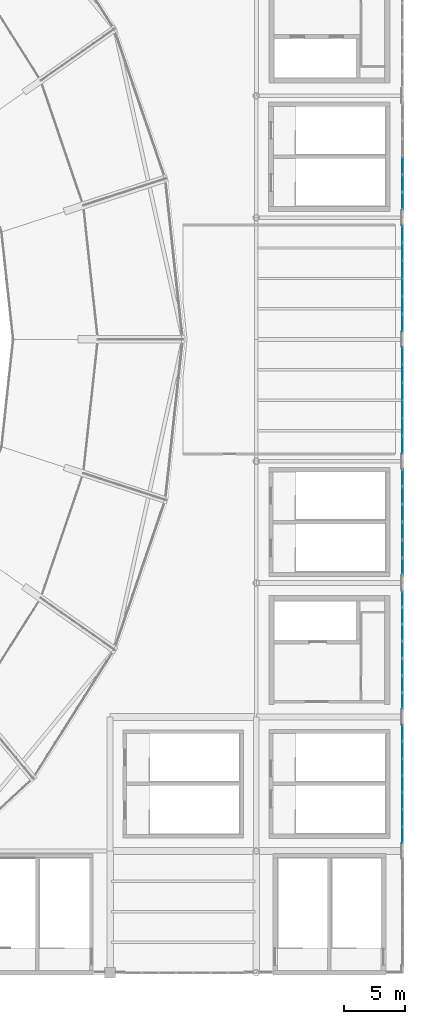
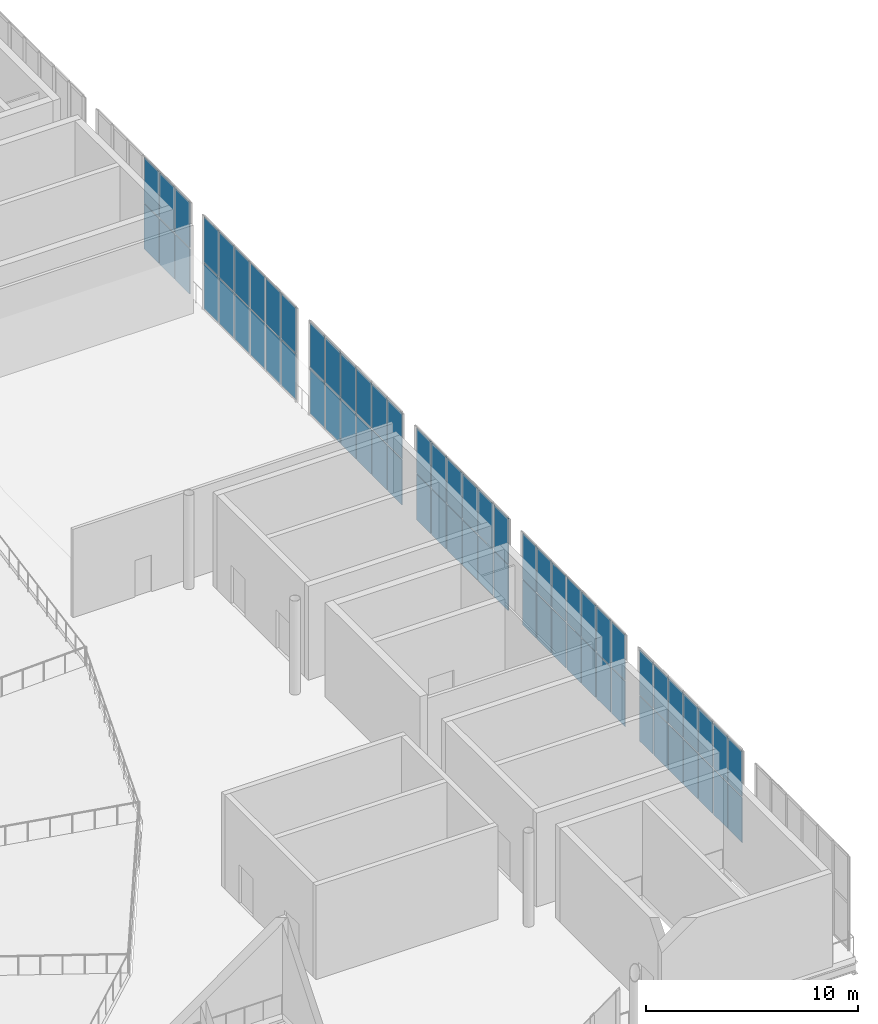
# One storey, part 48 of 74: 70 plates, 6 elements without a shape of their own.
"""IFC4 building model written with IfcOpenShell, lengths in metres."""

from ifc_helpers import new_model, si_unit, direction, frame, origin, origin_2d, place, context, subcontext, project, spatial, rectangle, extrude, material, layer, layer_set, type_object, element, aggregate, save


model = new_model("IFC4")

# Units and contexts
model_context = context("Model", 3, precision=1e-05, world=origin(), true_north=direction((0.0, 1.0)))
body_context = subcontext(model_context, "Body", "Model", "MODEL_VIEW")
ifc_project = project(units=[si_unit("LENGTHUNIT", "METRE"), si_unit("AREAUNIT", "SQUARE_METRE"), si_unit("VOLUMEUNIT", "CUBIC_METRE"), si_unit("PLANEANGLEUNIT", "RADIAN"), si_unit("MASSUNIT", "GRAM", prefix="KILO")], contexts=[model_context])

# Site, building, storey
site_placement = place(None, origin())
site = spatial("IfcSite", under=ifc_project, at=site_placement, CompositionType="ELEMENT")
building_placement = place(site_placement, origin())
building = spatial("IfcBuilding", under=site, at=building_placement, Name="Brinegate Civic Arena", CompositionType="ELEMENT")
storey_placement = place(building_placement, frame((0.0, 0.0, 19.199951171875)))
storey = spatial("IfcBuildingStorey", under=building, at=storey_placement, Name="L04", CompositionType="ELEMENT", Elevation=19.199951171875)

# Curtain wall, plates
ifc_material_1 = material(Name="Marine grade aluminium", Category="aluminium")
ifc_layer_1 = layer(ifc_material_1, 0.199951171875, Name="Marine grade aluminium")
ifc_layer_set_1 = layer_set([ifc_layer_1], Name="Marine grade aluminium")
curtain_wall_type = type_object("IfcCurtainWallType", Name="CW-BOWL-GLAZED-01", PredefinedType="USERDEFINED", material=ifc_layer_set_1)
curtain_wall_1_placement = place(storey_placement, origin())
curtain_wall_1 = element("IfcCurtainWall", 1, at=curtain_wall_1_placement, inside=storey, type_object=curtain_wall_type, Name="Curtain Wall CWA-138", ObjectType="GLAZED CURTAIN WALL", PredefinedType="USERDEFINED")
ifc_material_2 = material(Name="Hurricane laminated low-E glass", Category="glass")
ifc_layer_2 = layer(ifc_material_2, 0.028076171875, Name="Hurricane laminated low-E glass")
ifc_layer_set_2 = layer_set([ifc_layer_2], Name="Hurricane laminated low-E glass")
plate_type_1 = type_object("IfcPlateType", Name="CW-PANEL-GLAZED-28", PredefinedType="CURTAIN_PANEL", material=ifc_layer_set_2)
plate_1_placement = place(storey_placement, frame((168.0, 53.349609375, 0.0751953125), z_axis=(0.0, 0.0, 1.0), x_axis=(0.0, 1.0, 0.0)))
plate_1 = element("IfcPlate", 2, at=plate_1_placement, type_object=plate_type_1, Name="CWA-138 panel 1.1", PredefinedType="CURTAIN_PANEL", context=body_context, shape_type="SweptSolid", body=[
    extrude(rectangle(XDim=1.369140625, YDim=0.028076171875, at=origin_2d()), origin(), (0.0, 0.0, 1.0), 2.58740234375),
])
plate_2_placement = place(storey_placement, frame((168.0, 53.349609375, 2.737548828125), z_axis=(0.0, 0.0, 1.0), x_axis=(0.0, 1.0, 0.0)))
plate_2 = element("IfcPlate", 3, at=plate_2_placement, type_object=plate_type_1, Name="CWA-138 panel 1.2", PredefinedType="CURTAIN_PANEL", context=body_context, shape_type="SweptSolid", body=[
    extrude(rectangle(XDim=1.369140625, YDim=0.028076171875, at=origin_2d()), origin(), (0.0, 0.0, 1.0), 2.58740234375),
])
plate_3_placement = place(storey_placement, frame((168.0, 54.800048828125, 0.0751953125), z_axis=(0.0, 0.0, 1.0), x_axis=(0.0, 1.0, 0.0)))
plate_3 = element("IfcPlate", 4, at=plate_3_placement, type_object=plate_type_1, Name="CWA-138 panel 2.1", PredefinedType="CURTAIN_PANEL", context=body_context, shape_type="SweptSolid", body=[
    extrude(rectangle(XDim=1.401611328125, YDim=0.028076171875, at=origin_2d()), origin(), (0.0, 0.0, 1.0), 2.58740234375),
])
plate_4_placement = place(storey_placement, frame((168.0, 54.800048828125, 2.737548828125), z_axis=(0.0, 0.0, 1.0), x_axis=(0.0, 1.0, 0.0)))
plate_4 = element("IfcPlate", 5, at=plate_4_placement, type_object=plate_type_1, Name="CWA-138 panel 2.2", PredefinedType="CURTAIN_PANEL", context=body_context, shape_type="SweptSolid", body=[
    extrude(rectangle(XDim=1.401611328125, YDim=0.028076171875, at=origin_2d()), origin(), (0.0, 0.0, 1.0), 2.58740234375),
])
plate_5_placement = place(storey_placement, frame((168.0, 56.2666015625, 0.0751953125), z_axis=(0.0, 0.0, 1.0), x_axis=(0.0, 1.0, 0.0)))
plate_5 = element("IfcPlate", 6, at=plate_5_placement, type_object=plate_type_1, Name="CWA-138 panel 3.1", PredefinedType="CURTAIN_PANEL", context=body_context, shape_type="SweptSolid", body=[
    extrude(rectangle(XDim=1.401611328125, YDim=0.028076171875, at=origin_2d()), origin(), (0.0, 0.0, 1.0), 2.58740234375),
])
plate_6_placement = place(storey_placement, frame((168.0, 56.2666015625, 2.737548828125), z_axis=(0.0, 0.0, 1.0), x_axis=(0.0, 1.0, 0.0)))
plate_6 = element("IfcPlate", 7, at=plate_6_placement, type_object=plate_type_1, Name="CWA-138 panel 3.2", PredefinedType="CURTAIN_PANEL", context=body_context, shape_type="SweptSolid", body=[
    extrude(rectangle(XDim=1.401611328125, YDim=0.028076171875, at=origin_2d()), origin(), (0.0, 0.0, 1.0), 2.58740234375),
])
plate_7_placement = place(storey_placement, frame((168.0, 57.7333984375, 0.0751953125), z_axis=(0.0, 0.0, 1.0), x_axis=(0.0, 1.0, 0.0)))
plate_7 = element("IfcPlate", 8, at=plate_7_placement, type_object=plate_type_1, Name="CWA-138 panel 4.1", PredefinedType="CURTAIN_PANEL", context=body_context, shape_type="SweptSolid", body=[
    extrude(rectangle(XDim=1.401611328125, YDim=0.028076171875, at=origin_2d()), origin(), (0.0, 0.0, 1.0), 2.58740234375),
])
plate_8_placement = place(storey_placement, frame((168.0, 57.7333984375, 2.737548828125), z_axis=(0.0, 0.0, 1.0), x_axis=(0.0, 1.0, 0.0)))
plate_8 = element("IfcPlate", 9, at=plate_8_placement, type_object=plate_type_1, Name="CWA-138 panel 4.2", PredefinedType="CURTAIN_PANEL", context=body_context, shape_type="SweptSolid", body=[
    extrude(rectangle(XDim=1.401611328125, YDim=0.028076171875, at=origin_2d()), origin(), (0.0, 0.0, 1.0), 2.58740234375),
])
plate_9_placement = place(storey_placement, frame((168.0, 59.199951171875, 0.0751953125), z_axis=(0.0, 0.0, 1.0), x_axis=(0.0, 1.0, 0.0)))
plate_9 = element("IfcPlate", 10, at=plate_9_placement, type_object=plate_type_1, Name="CWA-138 panel 5.1", PredefinedType="CURTAIN_PANEL", context=body_context, shape_type="SweptSolid", body=[
    extrude(rectangle(XDim=1.401611328125, YDim=0.028076171875, at=origin_2d()), origin(), (0.0, 0.0, 1.0), 2.58740234375),
])
plate_10_placement = place(storey_placement, frame((168.0, 59.199951171875, 2.737548828125), z_axis=(0.0, 0.0, 1.0), x_axis=(0.0, 1.0, 0.0)))
plate_10 = element("IfcPlate", 11, at=plate_10_placement, type_object=plate_type_1, Name="CWA-138 panel 5.2", PredefinedType="CURTAIN_PANEL", context=body_context, shape_type="SweptSolid", body=[
    extrude(rectangle(XDim=1.401611328125, YDim=0.028076171875, at=origin_2d()), origin(), (0.0, 0.0, 1.0), 2.58740234375),
])
plate_11_placement = place(storey_placement, frame((168.0, 60.650390625, 0.0751953125), z_axis=(0.0, 0.0, 1.0), x_axis=(0.0, 1.0, 0.0)))
plate_11 = element("IfcPlate", 12, at=plate_11_placement, type_object=plate_type_1, Name="CWA-138 panel 6.1", PredefinedType="CURTAIN_PANEL", context=body_context, shape_type="SweptSolid", body=[
    extrude(rectangle(XDim=1.369140625, YDim=0.028076171875, at=origin_2d()), origin(), (0.0, 0.0, 1.0), 2.58740234375),
])
plate_12_placement = place(storey_placement, frame((168.0, 60.650390625, 2.737548828125), z_axis=(0.0, 0.0, 1.0), x_axis=(0.0, 1.0, 0.0)))
plate_12 = element("IfcPlate", 13, at=plate_12_placement, type_object=plate_type_1, Name="CWA-138 panel 6.2", PredefinedType="CURTAIN_PANEL", context=body_context, shape_type="SweptSolid", body=[
    extrude(rectangle(XDim=1.369140625, YDim=0.028076171875, at=origin_2d()), origin(), (0.0, 0.0, 1.0), 2.58740234375),
])
aggregate(curtain_wall_1, [plate_1, plate_2, plate_3, plate_4, plate_5, plate_6, plate_7, plate_8, plate_9, plate_10, plate_11, plate_12])

curtain_wall_2_placement = place(storey_placement, origin())
curtain_wall_2 = element("IfcCurtainWall", 14, at=curtain_wall_2_placement, inside=storey, type_object=curtain_wall_type, Name="Curtain Wall CWA-135", ObjectType="GLAZED CURTAIN WALL", PredefinedType="USERDEFINED")
ifc_layer_3 = layer(ifc_material_2, 0.031982421875, Name="Hurricane laminated low-E glass")
ifc_layer_set_3 = layer_set([ifc_layer_3], Name="Hurricane laminated low-E glass")
plate_type_2 = type_object("IfcPlateType", Name="CW-PANEL-GLAZED-32", PredefinedType="CURTAIN_PANEL", material=ifc_layer_set_3)
plate_13_placement = place(storey_placement, frame((168.0, 21.316162109375, 0.0751953125), z_axis=(0.0, 0.0, 1.0), x_axis=(0.0, 1.0, 0.0)))
plate_13 = element("IfcPlate", 15, at=plate_13_placement, type_object=plate_type_2, Name="CWA-135 panel 1.1", PredefinedType="CURTAIN_PANEL", context=body_context, shape_type="SweptSolid", body=[
    extrude(rectangle(XDim=1.302490234375, YDim=0.031982421875, at=origin_2d()), origin(), (0.0, 0.0, 1.0), 2.58740234375),
])
plate_14_placement = place(storey_placement, frame((168.0, 21.316162109375, 2.737548828125), z_axis=(0.0, 0.0, 1.0), x_axis=(0.0, 1.0, 0.0)))
plate_14 = element("IfcPlate", 16, at=plate_14_placement, type_object=plate_type_2, Name="CWA-135 panel 1.2", PredefinedType="CURTAIN_PANEL", context=body_context, shape_type="SweptSolid", body=[
    extrude(rectangle(XDim=1.302490234375, YDim=0.031982421875, at=origin_2d()), origin(), (0.0, 0.0, 1.0), 2.58740234375),
])
plate_15_placement = place(storey_placement, frame((168.0, 22.699951171875, 0.0751953125), z_axis=(0.0, 0.0, 1.0), x_axis=(0.0, 1.0, 0.0)))
plate_15 = element("IfcPlate", 17, at=plate_15_placement, type_object=plate_type_2, Name="CWA-135 panel 2.1", PredefinedType="CURTAIN_PANEL", context=body_context, shape_type="SweptSolid", body=[
    extrude(rectangle(XDim=1.3349609375, YDim=0.031982421875, at=origin_2d()), origin(), (0.0, 0.0, 1.0), 2.58740234375),
])
plate_16_placement = place(storey_placement, frame((168.0, 22.699951171875, 2.737548828125), z_axis=(0.0, 0.0, 1.0), x_axis=(0.0, 1.0, 0.0)))
plate_16 = element("IfcPlate", 18, at=plate_16_placement, type_object=plate_type_2, Name="CWA-135 panel 2.2", PredefinedType="CURTAIN_PANEL", context=body_context, shape_type="SweptSolid", body=[
    extrude(rectangle(XDim=1.3349609375, YDim=0.031982421875, at=origin_2d()), origin(), (0.0, 0.0, 1.0), 2.58740234375),
])
plate_17_placement = place(storey_placement, frame((168.0, 24.10009765625, 0.0751953125), z_axis=(0.0, 0.0, 1.0), x_axis=(0.0, 1.0, 0.0)))
plate_17 = element("IfcPlate", 19, at=plate_17_placement, type_object=plate_type_2, Name="CWA-135 panel 3.1", PredefinedType="CURTAIN_PANEL", context=body_context, shape_type="SweptSolid", body=[
    extrude(rectangle(XDim=1.3349609375, YDim=0.031982421875, at=origin_2d()), origin(), (0.0, 0.0, 1.0), 2.58740234375),
])
plate_18_placement = place(storey_placement, frame((168.0, 24.10009765625, 2.737548828125), z_axis=(0.0, 0.0, 1.0), x_axis=(0.0, 1.0, 0.0)))
plate_18 = element("IfcPlate", 20, at=plate_18_placement, type_object=plate_type_2, Name="CWA-135 panel 3.2", PredefinedType="CURTAIN_PANEL", context=body_context, shape_type="SweptSolid", body=[
    extrude(rectangle(XDim=1.3349609375, YDim=0.031982421875, at=origin_2d()), origin(), (0.0, 0.0, 1.0), 2.58740234375),
])
plate_19_placement = place(storey_placement, frame((168.0, 25.5, 0.0751953125), z_axis=(0.0, 0.0, 1.0), x_axis=(0.0, 1.0, 0.0)))
plate_19 = element("IfcPlate", 21, at=plate_19_placement, type_object=plate_type_2, Name="CWA-135 panel 4.1", PredefinedType="CURTAIN_PANEL", context=body_context, shape_type="SweptSolid", body=[
    extrude(rectangle(XDim=1.3349609375, YDim=0.031982421875, at=origin_2d()), origin(), (0.0, 0.0, 1.0), 2.58740234375),
])
plate_20_placement = place(storey_placement, frame((168.0, 25.5, 2.737548828125), z_axis=(0.0, 0.0, 1.0), x_axis=(0.0, 1.0, 0.0)))
plate_20 = element("IfcPlate", 22, at=plate_20_placement, type_object=plate_type_2, Name="CWA-135 panel 4.2", PredefinedType="CURTAIN_PANEL", context=body_context, shape_type="SweptSolid", body=[
    extrude(rectangle(XDim=1.3349609375, YDim=0.031982421875, at=origin_2d()), origin(), (0.0, 0.0, 1.0), 2.58740234375),
])
plate_21_placement = place(storey_placement, frame((168.0, 26.89990234375, 0.0751953125), z_axis=(0.0, 0.0, 1.0), x_axis=(0.0, 1.0, 0.0)))
plate_21 = element("IfcPlate", 23, at=plate_21_placement, type_object=plate_type_2, Name="CWA-135 panel 5.1", PredefinedType="CURTAIN_PANEL", context=body_context, shape_type="SweptSolid", body=[
    extrude(rectangle(XDim=1.3349609375, YDim=0.031982421875, at=origin_2d()), origin(), (0.0, 0.0, 1.0), 2.58740234375),
])
plate_22_placement = place(storey_placement, frame((168.0, 26.89990234375, 2.737548828125), z_axis=(0.0, 0.0, 1.0), x_axis=(0.0, 1.0, 0.0)))
plate_22 = element("IfcPlate", 24, at=plate_22_placement, type_object=plate_type_2, Name="CWA-135 panel 5.2", PredefinedType="CURTAIN_PANEL", context=body_context, shape_type="SweptSolid", body=[
    extrude(rectangle(XDim=1.3349609375, YDim=0.031982421875, at=origin_2d()), origin(), (0.0, 0.0, 1.0), 2.58740234375),
])
plate_23_placement = place(storey_placement, frame((168.0, 28.300048828125, 0.0751953125), z_axis=(0.0, 0.0, 1.0), x_axis=(0.0, 1.0, 0.0)))
plate_23 = element("IfcPlate", 25, at=plate_23_placement, type_object=plate_type_2, Name="CWA-135 panel 6.1", PredefinedType="CURTAIN_PANEL", context=body_context, shape_type="SweptSolid", body=[
    extrude(rectangle(XDim=1.3349609375, YDim=0.031982421875, at=origin_2d()), origin(), (0.0, 0.0, 1.0), 2.58740234375),
])
plate_24_placement = place(storey_placement, frame((168.0, 28.300048828125, 2.737548828125), z_axis=(0.0, 0.0, 1.0), x_axis=(0.0, 1.0, 0.0)))
plate_24 = element("IfcPlate", 26, at=plate_24_placement, type_object=plate_type_2, Name="CWA-135 panel 6.2", PredefinedType="CURTAIN_PANEL", context=body_context, shape_type="SweptSolid", body=[
    extrude(rectangle(XDim=1.3349609375, YDim=0.031982421875, at=origin_2d()), origin(), (0.0, 0.0, 1.0), 2.58740234375),
])
plate_25_placement = place(storey_placement, frame((168.0, 29.683837890625, 0.0751953125), z_axis=(0.0, 0.0, 1.0), x_axis=(0.0, 1.0, 0.0)))
plate_25 = element("IfcPlate", 27, at=plate_25_placement, type_object=plate_type_2, Name="CWA-135 panel 7.1", PredefinedType="CURTAIN_PANEL", context=body_context, shape_type="SweptSolid", body=[
    extrude(rectangle(XDim=1.302490234375, YDim=0.031982421875, at=origin_2d()), origin(), (0.0, 0.0, 1.0), 2.58740234375),
])
plate_26_placement = place(storey_placement, frame((168.0, 29.683837890625, 2.737548828125), z_axis=(0.0, 0.0, 1.0), x_axis=(0.0, 1.0, 0.0)))
plate_26 = element("IfcPlate", 28, at=plate_26_placement, type_object=plate_type_2, Name="CWA-135 panel 7.2", PredefinedType="CURTAIN_PANEL", context=body_context, shape_type="SweptSolid", body=[
    extrude(rectangle(XDim=1.302490234375, YDim=0.031982421875, at=origin_2d()), origin(), (0.0, 0.0, 1.0), 2.58740234375),
])
aggregate(curtain_wall_2, [plate_13, plate_14, plate_15, plate_16, plate_17, plate_18, plate_19, plate_20, plate_21, plate_22, plate_23, plate_24, plate_25, plate_26])

curtain_wall_3_placement = place(storey_placement, origin())
curtain_wall_3 = element("IfcCurtainWall", 29, at=curtain_wall_3_placement, inside=storey, type_object=curtain_wall_type, Name="Curtain Wall CWA-139", ObjectType="GLAZED CURTAIN WALL", PredefinedType="USERDEFINED")
plate_27_placement = place(storey_placement, frame((168.0, 63.349609375, 0.06494140625), z_axis=(0.0, 0.0, 1.0), x_axis=(0.0, 1.0, 0.0)))
plate_27 = element("IfcPlate", 30, at=plate_27_placement, type_object=plate_type_2, Name="CWA-139 panel 1.1", PredefinedType="CURTAIN_PANEL", context=body_context, shape_type="SweptSolid", body=[
    extrude(rectangle(XDim=1.369140625, YDim=0.031982421875, at=origin_2d()), origin(), (0.0, 0.0, 1.0), 2.6025390625),
])
plate_28_placement = place(storey_placement, frame((168.0, 63.349609375, 2.732421875), z_axis=(0.0, 0.0, 1.0), x_axis=(0.0, 1.0, 0.0)))
plate_28 = element("IfcPlate", 31, at=plate_28_placement, type_object=plate_type_2, Name="CWA-139 panel 1.2", PredefinedType="CURTAIN_PANEL", context=body_context, shape_type="SweptSolid", body=[
    extrude(rectangle(XDim=1.369140625, YDim=0.031982421875, at=origin_2d()), origin(), (0.0, 0.0, 1.0), 2.6025390625),
])
plate_29_placement = place(storey_placement, frame((168.0, 64.800048828125, 0.06494140625), z_axis=(0.0, 0.0, 1.0), x_axis=(0.0, 1.0, 0.0)))
plate_29 = element("IfcPlate", 32, at=plate_29_placement, type_object=plate_type_2, Name="CWA-139 panel 2.1", PredefinedType="CURTAIN_PANEL", context=body_context, shape_type="SweptSolid", body=[
    extrude(rectangle(XDim=1.401611328125, YDim=0.031982421875, at=origin_2d()), origin(), (0.0, 0.0, 1.0), 2.6025390625),
])
plate_30_placement = place(storey_placement, frame((168.0, 64.800048828125, 2.732421875), z_axis=(0.0, 0.0, 1.0), x_axis=(0.0, 1.0, 0.0)))
plate_30 = element("IfcPlate", 33, at=plate_30_placement, type_object=plate_type_2, Name="CWA-139 panel 2.2", PredefinedType="CURTAIN_PANEL", context=body_context, shape_type="SweptSolid", body=[
    extrude(rectangle(XDim=1.401611328125, YDim=0.031982421875, at=origin_2d()), origin(), (0.0, 0.0, 1.0), 2.6025390625),
])
plate_31_placement = place(storey_placement, frame((168.0, 66.2666015625, 0.06494140625), z_axis=(0.0, 0.0, 1.0), x_axis=(0.0, 1.0, 0.0)))
plate_31 = element("IfcPlate", 34, at=plate_31_placement, type_object=plate_type_2, Name="CWA-139 panel 3.1", PredefinedType="CURTAIN_PANEL", context=body_context, shape_type="SweptSolid", body=[
    extrude(rectangle(XDim=1.401611328125, YDim=0.031982421875, at=origin_2d()), origin(), (0.0, 0.0, 1.0), 2.6025390625),
])
plate_32_placement = place(storey_placement, frame((168.0, 66.2666015625, 2.732421875), z_axis=(0.0, 0.0, 1.0), x_axis=(0.0, 1.0, 0.0)))
plate_32 = element("IfcPlate", 35, at=plate_32_placement, type_object=plate_type_2, Name="CWA-139 panel 3.2", PredefinedType="CURTAIN_PANEL", context=body_context, shape_type="SweptSolid", body=[
    extrude(rectangle(XDim=1.401611328125, YDim=0.031982421875, at=origin_2d()), origin(), (0.0, 0.0, 1.0), 2.6025390625),
])
plate_33_placement = place(storey_placement, frame((168.0, 67.7333984375, 0.06494140625), z_axis=(0.0, 0.0, 1.0), x_axis=(0.0, 1.0, 0.0)))
plate_33 = element("IfcPlate", 36, at=plate_33_placement, type_object=plate_type_2, Name="CWA-139 panel 4.1", PredefinedType="CURTAIN_PANEL", context=body_context, shape_type="SweptSolid", body=[
    extrude(rectangle(XDim=1.401611328125, YDim=0.031982421875, at=origin_2d()), origin(), (0.0, 0.0, 1.0), 2.6025390625),
])
plate_34_placement = place(storey_placement, frame((168.0, 67.7333984375, 2.732421875), z_axis=(0.0, 0.0, 1.0), x_axis=(0.0, 1.0, 0.0)))
plate_34 = element("IfcPlate", 37, at=plate_34_placement, type_object=plate_type_2, Name="CWA-139 panel 4.2", PredefinedType="CURTAIN_PANEL", context=body_context, shape_type="SweptSolid", body=[
    extrude(rectangle(XDim=1.401611328125, YDim=0.031982421875, at=origin_2d()), origin(), (0.0, 0.0, 1.0), 2.6025390625),
])
plate_35_placement = place(storey_placement, frame((168.0, 69.199951171875, 0.06494140625), z_axis=(0.0, 0.0, 1.0), x_axis=(0.0, 1.0, 0.0)))
plate_35 = element("IfcPlate", 38, at=plate_35_placement, type_object=plate_type_2, Name="CWA-139 panel 5.1", PredefinedType="CURTAIN_PANEL", context=body_context, shape_type="SweptSolid", body=[
    extrude(rectangle(XDim=1.401611328125, YDim=0.031982421875, at=origin_2d()), origin(), (0.0, 0.0, 1.0), 2.6025390625),
])
plate_36_placement = place(storey_placement, frame((168.0, 69.199951171875, 2.732421875), z_axis=(0.0, 0.0, 1.0), x_axis=(0.0, 1.0, 0.0)))
plate_36 = element("IfcPlate", 39, at=plate_36_placement, type_object=plate_type_2, Name="CWA-139 panel 5.2", PredefinedType="CURTAIN_PANEL", context=body_context, shape_type="SweptSolid", body=[
    extrude(rectangle(XDim=1.401611328125, YDim=0.031982421875, at=origin_2d()), origin(), (0.0, 0.0, 1.0), 2.6025390625),
])
plate_37_placement = place(storey_placement, frame((168.0, 70.650390625, 0.06494140625), z_axis=(0.0, 0.0, 1.0), x_axis=(0.0, 1.0, 0.0)))
plate_37 = element("IfcPlate", 40, at=plate_37_placement, type_object=plate_type_2, Name="CWA-139 panel 6.1", PredefinedType="CURTAIN_PANEL", context=body_context, shape_type="SweptSolid", body=[
    extrude(rectangle(XDim=1.369140625, YDim=0.031982421875, at=origin_2d()), origin(), (0.0, 0.0, 1.0), 2.6025390625),
])
plate_38_placement = place(storey_placement, frame((168.0, 70.650390625, 2.732421875), z_axis=(0.0, 0.0, 1.0), x_axis=(0.0, 1.0, 0.0)))
plate_38 = element("IfcPlate", 41, at=plate_38_placement, type_object=plate_type_2, Name="CWA-139 panel 6.2", PredefinedType="CURTAIN_PANEL", context=body_context, shape_type="SweptSolid", body=[
    extrude(rectangle(XDim=1.369140625, YDim=0.031982421875, at=origin_2d()), origin(), (0.0, 0.0, 1.0), 2.6025390625),
])
aggregate(curtain_wall_3, [plate_27, plate_28, plate_29, plate_30, plate_31, plate_32, plate_33, plate_34, plate_35, plate_36, plate_37, plate_38])

curtain_wall_4_placement = place(storey_placement, origin())
curtain_wall_4 = element("IfcCurtainWall", 42, at=curtain_wall_4_placement, inside=storey, type_object=curtain_wall_type, Name="Curtain Wall CWA-136", ObjectType="GLAZED CURTAIN WALL", PredefinedType="USERDEFINED")
ifc_layer_4 = layer(ifc_material_2, 0.035888671875, Name="Hurricane laminated low-E glass")
ifc_layer_set_4 = layer_set([ifc_layer_4], Name="Hurricane laminated low-E glass")
plate_type_3 = type_object("IfcPlateType", Name="CW-PANEL-GLAZED-36", PredefinedType="CURTAIN_PANEL", material=ifc_layer_set_4)
plate_39_placement = place(storey_placement, frame((168.0, 32.31884765625, 0.06494140625), z_axis=(0.0, 0.0, 1.0), x_axis=(0.0, 1.0, 0.0)))
plate_39 = element("IfcPlate", 43, at=plate_39_placement, type_object=plate_type_3, Name="CWA-136 panel 1.1", PredefinedType="CURTAIN_PANEL", context=body_context, shape_type="SweptSolid", body=[
    extrude(rectangle(XDim=1.28759765625, YDim=0.035888671875, at=origin_2d()), origin(), (0.0, 0.0, 1.0), 2.6025390625),
])
plate_40_placement = place(storey_placement, frame((168.0, 32.31884765625, 2.732421875), z_axis=(0.0, 0.0, 1.0), x_axis=(0.0, 1.0, 0.0)))
plate_40 = element("IfcPlate", 44, at=plate_40_placement, type_object=plate_type_3, Name="CWA-136 panel 1.2", PredefinedType="CURTAIN_PANEL", context=body_context, shape_type="SweptSolid", body=[
    extrude(rectangle(XDim=1.28759765625, YDim=0.035888671875, at=origin_2d()), origin(), (0.0, 0.0, 1.0), 2.6025390625),
])
plate_41_placement = place(storey_placement, frame((168.0, 33.699951171875, 0.06494140625), z_axis=(0.0, 0.0, 1.0), x_axis=(0.0, 1.0, 0.0)))
plate_41 = element("IfcPlate", 45, at=plate_41_placement, type_object=plate_type_3, Name="CWA-136 panel 2.1", PredefinedType="CURTAIN_PANEL", context=body_context, shape_type="SweptSolid", body=[
    extrude(rectangle(XDim=1.324951171875, YDim=0.035888671875, at=origin_2d()), origin(), (0.0, 0.0, 1.0), 2.6025390625),
])
plate_42_placement = place(storey_placement, frame((168.0, 33.699951171875, 2.732421875), z_axis=(0.0, 0.0, 1.0), x_axis=(0.0, 1.0, 0.0)))
plate_42 = element("IfcPlate", 46, at=plate_42_placement, type_object=plate_type_3, Name="CWA-136 panel 2.2", PredefinedType="CURTAIN_PANEL", context=body_context, shape_type="SweptSolid", body=[
    extrude(rectangle(XDim=1.324951171875, YDim=0.035888671875, at=origin_2d()), origin(), (0.0, 0.0, 1.0), 2.6025390625),
])
plate_43_placement = place(storey_placement, frame((168.0, 35.10009765625, 0.06494140625), z_axis=(0.0, 0.0, 1.0), x_axis=(0.0, 1.0, 0.0)))
plate_43 = element("IfcPlate", 47, at=plate_43_placement, type_object=plate_type_3, Name="CWA-136 panel 3.1", PredefinedType="CURTAIN_PANEL", context=body_context, shape_type="SweptSolid", body=[
    extrude(rectangle(XDim=1.324951171875, YDim=0.035888671875, at=origin_2d()), origin(), (0.0, 0.0, 1.0), 2.6025390625),
])
plate_44_placement = place(storey_placement, frame((168.0, 35.10009765625, 2.732421875), z_axis=(0.0, 0.0, 1.0), x_axis=(0.0, 1.0, 0.0)))
plate_44 = element("IfcPlate", 48, at=plate_44_placement, type_object=plate_type_3, Name="CWA-136 panel 3.2", PredefinedType="CURTAIN_PANEL", context=body_context, shape_type="SweptSolid", body=[
    extrude(rectangle(XDim=1.324951171875, YDim=0.035888671875, at=origin_2d()), origin(), (0.0, 0.0, 1.0), 2.6025390625),
])
plate_45_placement = place(storey_placement, frame((168.0, 36.5, 0.06494140625), z_axis=(0.0, 0.0, 1.0), x_axis=(0.0, 1.0, 0.0)))
plate_45 = element("IfcPlate", 49, at=plate_45_placement, type_object=plate_type_3, Name="CWA-136 panel 4.1", PredefinedType="CURTAIN_PANEL", context=body_context, shape_type="SweptSolid", body=[
    extrude(rectangle(XDim=1.324951171875, YDim=0.035888671875, at=origin_2d()), origin(), (0.0, 0.0, 1.0), 2.6025390625),
])
plate_46_placement = place(storey_placement, frame((168.0, 36.5, 2.732421875), z_axis=(0.0, 0.0, 1.0), x_axis=(0.0, 1.0, 0.0)))
plate_46 = element("IfcPlate", 50, at=plate_46_placement, type_object=plate_type_3, Name="CWA-136 panel 4.2", PredefinedType="CURTAIN_PANEL", context=body_context, shape_type="SweptSolid", body=[
    extrude(rectangle(XDim=1.324951171875, YDim=0.035888671875, at=origin_2d()), origin(), (0.0, 0.0, 1.0), 2.6025390625),
])
plate_47_placement = place(storey_placement, frame((168.0, 37.89990234375, 0.06494140625), z_axis=(0.0, 0.0, 1.0), x_axis=(0.0, 1.0, 0.0)))
plate_47 = element("IfcPlate", 51, at=plate_47_placement, type_object=plate_type_3, Name="CWA-136 panel 5.1", PredefinedType="CURTAIN_PANEL", context=body_context, shape_type="SweptSolid", body=[
    extrude(rectangle(XDim=1.324951171875, YDim=0.035888671875, at=origin_2d()), origin(), (0.0, 0.0, 1.0), 2.6025390625),
])
plate_48_placement = place(storey_placement, frame((168.0, 37.89990234375, 2.732421875), z_axis=(0.0, 0.0, 1.0), x_axis=(0.0, 1.0, 0.0)))
plate_48 = element("IfcPlate", 52, at=plate_48_placement, type_object=plate_type_3, Name="CWA-136 panel 5.2", PredefinedType="CURTAIN_PANEL", context=body_context, shape_type="SweptSolid", body=[
    extrude(rectangle(XDim=1.324951171875, YDim=0.035888671875, at=origin_2d()), origin(), (0.0, 0.0, 1.0), 2.6025390625),
])
plate_49_placement = place(storey_placement, frame((168.0, 39.300048828125, 0.06494140625), z_axis=(0.0, 0.0, 1.0), x_axis=(0.0, 1.0, 0.0)))
plate_49 = element("IfcPlate", 53, at=plate_49_placement, type_object=plate_type_3, Name="CWA-136 panel 6.1", PredefinedType="CURTAIN_PANEL", context=body_context, shape_type="SweptSolid", body=[
    extrude(rectangle(XDim=1.324951171875, YDim=0.035888671875, at=origin_2d()), origin(), (0.0, 0.0, 1.0), 2.6025390625),
])
plate_50_placement = place(storey_placement, frame((168.0, 39.300048828125, 2.732421875), z_axis=(0.0, 0.0, 1.0), x_axis=(0.0, 1.0, 0.0)))
plate_50 = element("IfcPlate", 54, at=plate_50_placement, type_object=plate_type_3, Name="CWA-136 panel 6.2", PredefinedType="CURTAIN_PANEL", context=body_context, shape_type="SweptSolid", body=[
    extrude(rectangle(XDim=1.324951171875, YDim=0.035888671875, at=origin_2d()), origin(), (0.0, 0.0, 1.0), 2.6025390625),
])
plate_51_placement = place(storey_placement, frame((168.0, 40.68115234375, 0.06494140625), z_axis=(0.0, 0.0, 1.0), x_axis=(0.0, 1.0, 0.0)))
plate_51 = element("IfcPlate", 55, at=plate_51_placement, type_object=plate_type_3, Name="CWA-136 panel 7.1", PredefinedType="CURTAIN_PANEL", context=body_context, shape_type="SweptSolid", body=[
    extrude(rectangle(XDim=1.28759765625, YDim=0.035888671875, at=origin_2d()), origin(), (0.0, 0.0, 1.0), 2.6025390625),
])
plate_52_placement = place(storey_placement, frame((168.0, 40.68115234375, 2.732421875), z_axis=(0.0, 0.0, 1.0), x_axis=(0.0, 1.0, 0.0)))
plate_52 = element("IfcPlate", 56, at=plate_52_placement, type_object=plate_type_3, Name="CWA-136 panel 7.2", PredefinedType="CURTAIN_PANEL", context=body_context, shape_type="SweptSolid", body=[
    extrude(rectangle(XDim=1.28759765625, YDim=0.035888671875, at=origin_2d()), origin(), (0.0, 0.0, 1.0), 2.6025390625),
])
aggregate(curtain_wall_4, [plate_39, plate_40, plate_41, plate_42, plate_43, plate_44, plate_45, plate_46, plate_47, plate_48, plate_49, plate_50, plate_51, plate_52])

curtain_wall_5_placement = place(storey_placement, origin())
curtain_wall_5 = element("IfcCurtainWall", 57, at=curtain_wall_5_placement, inside=storey, type_object=curtain_wall_type, Name="Curtain Wall CWA-140", ObjectType="GLAZED CURTAIN WALL", PredefinedType="USERDEFINED")
plate_53_placement = place(storey_placement, frame((168.0, 73.35205078125, 0.06494140625), z_axis=(0.0, 0.0, 1.0), x_axis=(0.0, 1.0, 0.0)))
plate_53 = element("IfcPlate", 58, at=plate_53_placement, type_object=plate_type_3, Name="CWA-140 panel 1.1", PredefinedType="CURTAIN_PANEL", context=body_context, shape_type="SweptSolid", body=[
    extrude(rectangle(XDim=1.354248046875, YDim=0.035888671875, at=origin_2d()), origin(), (0.0, 0.0, 1.0), 2.6025390625),
])
plate_54_placement = place(storey_placement, frame((168.0, 73.35205078125, 2.732421875), z_axis=(0.0, 0.0, 1.0), x_axis=(0.0, 1.0, 0.0)))
plate_54 = element("IfcPlate", 59, at=plate_54_placement, type_object=plate_type_3, Name="CWA-140 panel 1.2", PredefinedType="CURTAIN_PANEL", context=body_context, shape_type="SweptSolid", body=[
    extrude(rectangle(XDim=1.354248046875, YDim=0.035888671875, at=origin_2d()), origin(), (0.0, 0.0, 1.0), 2.6025390625),
])
plate_55_placement = place(storey_placement, frame((168.0, 74.800048828125, 0.06494140625), z_axis=(0.0, 0.0, 1.0), x_axis=(0.0, 1.0, 0.0)))
plate_55 = element("IfcPlate", 60, at=plate_55_placement, type_object=plate_type_3, Name="CWA-140 panel 2.1", PredefinedType="CURTAIN_PANEL", context=body_context, shape_type="SweptSolid", body=[
    extrude(rectangle(XDim=1.3916015625, YDim=0.035888671875, at=origin_2d()), origin(), (0.0, 0.0, 1.0), 2.6025390625),
])
plate_56_placement = place(storey_placement, frame((168.0, 74.800048828125, 2.732421875), z_axis=(0.0, 0.0, 1.0), x_axis=(0.0, 1.0, 0.0)))
plate_56 = element("IfcPlate", 61, at=plate_56_placement, type_object=plate_type_3, Name="CWA-140 panel 2.2", PredefinedType="CURTAIN_PANEL", context=body_context, shape_type="SweptSolid", body=[
    extrude(rectangle(XDim=1.3916015625, YDim=0.035888671875, at=origin_2d()), origin(), (0.0, 0.0, 1.0), 2.6025390625),
])
plate_57_placement = place(storey_placement, frame((168.0, 76.2666015625, 0.06494140625), z_axis=(0.0, 0.0, 1.0), x_axis=(0.0, 1.0, 0.0)))
plate_57 = element("IfcPlate", 62, at=plate_57_placement, type_object=plate_type_3, Name="CWA-140 panel 3.1", PredefinedType="CURTAIN_PANEL", context=body_context, shape_type="SweptSolid", body=[
    extrude(rectangle(XDim=1.3916015625, YDim=0.035888671875, at=origin_2d()), origin(), (0.0, 0.0, 1.0), 2.6025390625),
])
plate_58_placement = place(storey_placement, frame((168.0, 76.2666015625, 2.732421875), z_axis=(0.0, 0.0, 1.0), x_axis=(0.0, 1.0, 0.0)))
plate_58 = element("IfcPlate", 63, at=plate_58_placement, type_object=plate_type_3, Name="CWA-140 panel 3.2", PredefinedType="CURTAIN_PANEL", context=body_context, shape_type="SweptSolid", body=[
    extrude(rectangle(XDim=1.3916015625, YDim=0.035888671875, at=origin_2d()), origin(), (0.0, 0.0, 1.0), 2.6025390625),
])
aggregate(curtain_wall_5, [plate_53, plate_54, plate_55, plate_56, plate_57, plate_58])

curtain_wall_6_placement = place(storey_placement, origin())
curtain_wall_6 = element("IfcCurtainWall", 64, at=curtain_wall_6_placement, inside=storey, type_object=curtain_wall_type, Name="Curtain Wall CWA-137", ObjectType="GLAZED CURTAIN WALL", PredefinedType="USERDEFINED")
ifc_layer_5 = layer(ifc_material_2, 0.0419921875, Name="Hurricane laminated low-E glass")
ifc_layer_set_5 = layer_set([ifc_layer_5], Name="Hurricane laminated low-E glass")
plate_type_4 = type_object("IfcPlateType", Name="CW-PANEL-SPANDREL-42", PredefinedType="CURTAIN_PANEL", material=ifc_layer_set_5)
plate_59_placement = place(storey_placement, frame((168.0, 43.353271484375, 0.06494140625), z_axis=(0.0, 0.0, 1.0), x_axis=(0.0, 1.0, 0.0)))
plate_59 = element("IfcPlate", 65, at=plate_59_placement, type_object=plate_type_4, Name="CWA-137 panel 1.1", PredefinedType="CURTAIN_PANEL", context=body_context, shape_type="SweptSolid", body=[
    extrude(rectangle(XDim=1.3466796875, YDim=0.0419921875, at=origin_2d()), origin(), (0.0, 0.0, 1.0), 2.6025390625),
])
plate_60_placement = place(storey_placement, frame((168.0, 43.353271484375, 2.732421875), z_axis=(0.0, 0.0, 1.0), x_axis=(0.0, 1.0, 0.0)))
plate_60 = element("IfcPlate", 66, at=plate_60_placement, type_object=plate_type_4, Name="CWA-137 panel 1.2", PredefinedType="CURTAIN_PANEL", context=body_context, shape_type="SweptSolid", body=[
    extrude(rectangle(XDim=1.3466796875, YDim=0.0419921875, at=origin_2d()), origin(), (0.0, 0.0, 1.0), 2.6025390625),
])
plate_61_placement = place(storey_placement, frame((168.0, 44.800048828125, 0.06494140625), z_axis=(0.0, 0.0, 1.0), x_axis=(0.0, 1.0, 0.0)))
plate_61 = element("IfcPlate", 67, at=plate_61_placement, type_object=plate_type_4, Name="CWA-137 panel 2.1", PredefinedType="CURTAIN_PANEL", context=body_context, shape_type="SweptSolid", body=[
    extrude(rectangle(XDim=1.38671875, YDim=0.0419921875, at=origin_2d()), origin(), (0.0, 0.0, 1.0), 2.6025390625),
])
plate_62_placement = place(storey_placement, frame((168.0, 44.800048828125, 2.732421875), z_axis=(0.0, 0.0, 1.0), x_axis=(0.0, 1.0, 0.0)))
plate_62 = element("IfcPlate", 68, at=plate_62_placement, type_object=plate_type_4, Name="CWA-137 panel 2.2", PredefinedType="CURTAIN_PANEL", context=body_context, shape_type="SweptSolid", body=[
    extrude(rectangle(XDim=1.38671875, YDim=0.0419921875, at=origin_2d()), origin(), (0.0, 0.0, 1.0), 2.6025390625),
])
plate_63_placement = place(storey_placement, frame((168.0, 46.2666015625, 0.06494140625), z_axis=(0.0, 0.0, 1.0), x_axis=(0.0, 1.0, 0.0)))
plate_63 = element("IfcPlate", 69, at=plate_63_placement, type_object=plate_type_4, Name="CWA-137 panel 3.1", PredefinedType="CURTAIN_PANEL", context=body_context, shape_type="SweptSolid", body=[
    extrude(rectangle(XDim=1.38671875, YDim=0.0419921875, at=origin_2d()), origin(), (0.0, 0.0, 1.0), 2.6025390625),
])
plate_64_placement = place(storey_placement, frame((168.0, 46.2666015625, 2.732421875), z_axis=(0.0, 0.0, 1.0), x_axis=(0.0, 1.0, 0.0)))
plate_64 = element("IfcPlate", 70, at=plate_64_placement, type_object=plate_type_4, Name="CWA-137 panel 3.2", PredefinedType="CURTAIN_PANEL", context=body_context, shape_type="SweptSolid", body=[
    extrude(rectangle(XDim=1.38671875, YDim=0.0419921875, at=origin_2d()), origin(), (0.0, 0.0, 1.0), 2.6025390625),
])
plate_65_placement = place(storey_placement, frame((168.0, 47.7333984375, 0.06494140625), z_axis=(0.0, 0.0, 1.0), x_axis=(0.0, 1.0, 0.0)))
plate_65 = element("IfcPlate", 71, at=plate_65_placement, type_object=plate_type_4, Name="CWA-137 panel 4.1", PredefinedType="CURTAIN_PANEL", context=body_context, shape_type="SweptSolid", body=[
    extrude(rectangle(XDim=1.38671875, YDim=0.0419921875, at=origin_2d()), origin(), (0.0, 0.0, 1.0), 2.6025390625),
])
plate_66_placement = place(storey_placement, frame((168.0, 47.7333984375, 2.732421875), z_axis=(0.0, 0.0, 1.0), x_axis=(0.0, 1.0, 0.0)))
plate_66 = element("IfcPlate", 72, at=plate_66_placement, type_object=plate_type_4, Name="CWA-137 panel 4.2", PredefinedType="CURTAIN_PANEL", context=body_context, shape_type="SweptSolid", body=[
    extrude(rectangle(XDim=1.38671875, YDim=0.0419921875, at=origin_2d()), origin(), (0.0, 0.0, 1.0), 2.6025390625),
])
plate_67_placement = place(storey_placement, frame((168.0, 49.199951171875, 0.06494140625), z_axis=(0.0, 0.0, 1.0), x_axis=(0.0, 1.0, 0.0)))
plate_67 = element("IfcPlate", 73, at=plate_67_placement, type_object=plate_type_4, Name="CWA-137 panel 5.1", PredefinedType="CURTAIN_PANEL", context=body_context, shape_type="SweptSolid", body=[
    extrude(rectangle(XDim=1.38671875, YDim=0.0419921875, at=origin_2d()), origin(), (0.0, 0.0, 1.0), 2.6025390625),
])
plate_68_placement = place(storey_placement, frame((168.0, 49.199951171875, 2.732421875), z_axis=(0.0, 0.0, 1.0), x_axis=(0.0, 1.0, 0.0)))
plate_68 = element("IfcPlate", 74, at=plate_68_placement, type_object=plate_type_4, Name="CWA-137 panel 5.2", PredefinedType="CURTAIN_PANEL", context=body_context, shape_type="SweptSolid", body=[
    extrude(rectangle(XDim=1.38671875, YDim=0.0419921875, at=origin_2d()), origin(), (0.0, 0.0, 1.0), 2.6025390625),
])
plate_69_placement = place(storey_placement, frame((168.0, 50.646728515625, 0.06494140625), z_axis=(0.0, 0.0, 1.0), x_axis=(0.0, 1.0, 0.0)))
plate_69 = element("IfcPlate", 75, at=plate_69_placement, type_object=plate_type_4, Name="CWA-137 panel 6.1", PredefinedType="CURTAIN_PANEL", context=body_context, shape_type="SweptSolid", body=[
    extrude(rectangle(XDim=1.3466796875, YDim=0.0419921875, at=origin_2d()), origin(), (0.0, 0.0, 1.0), 2.6025390625),
])
plate_70_placement = place(storey_placement, frame((168.0, 50.646728515625, 2.732421875), z_axis=(0.0, 0.0, 1.0), x_axis=(0.0, 1.0, 0.0)))
plate_70 = element("IfcPlate", 76, at=plate_70_placement, type_object=plate_type_4, Name="CWA-137 panel 6.2", PredefinedType="CURTAIN_PANEL", context=body_context, shape_type="SweptSolid", body=[
    extrude(rectangle(XDim=1.3466796875, YDim=0.0419921875, at=origin_2d()), origin(), (0.0, 0.0, 1.0), 2.6025390625),
])
aggregate(curtain_wall_6, [plate_59, plate_60, plate_61, plate_62, plate_63, plate_64, plate_65, plate_66, plate_67, plate_68, plate_69, plate_70])

save(model, "model.ifc")
